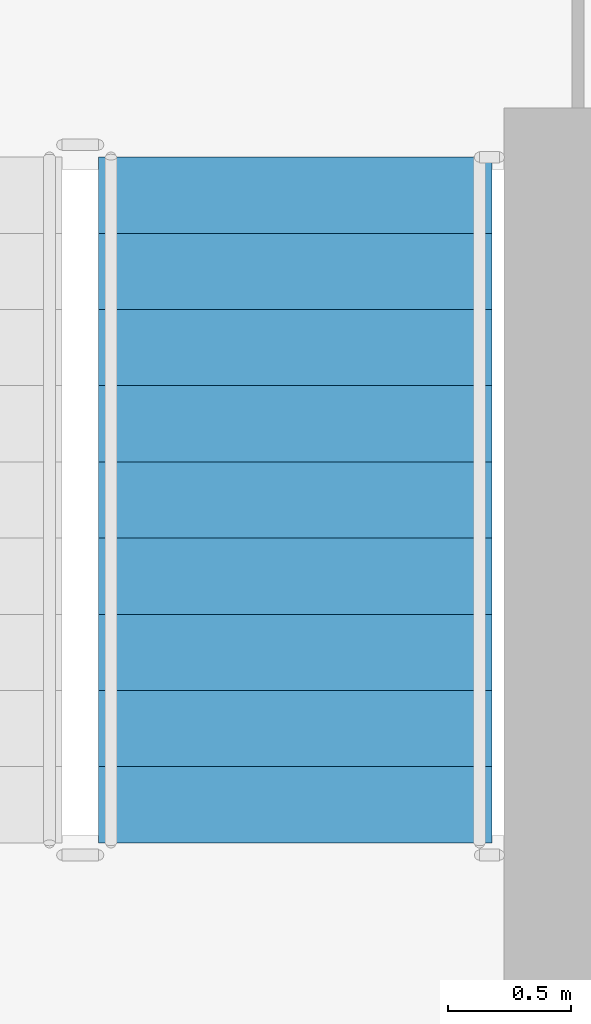
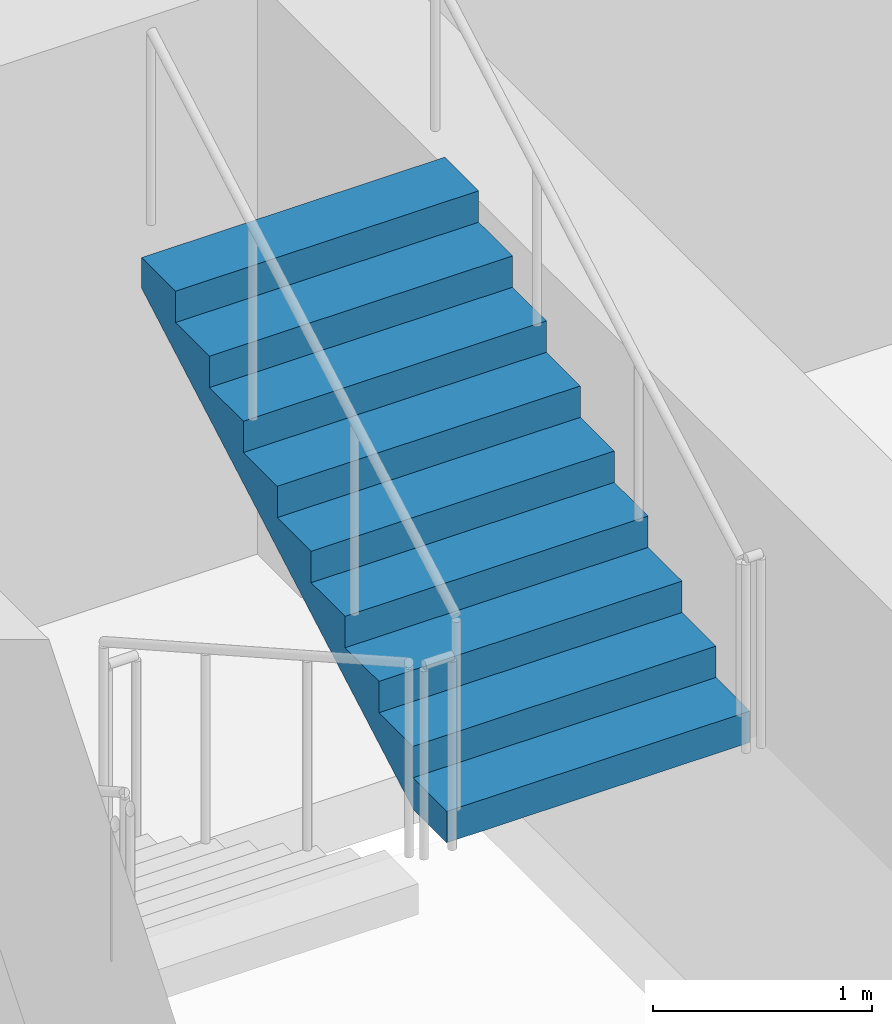
# One storey, part 16 of 23: 1 stair flight, 1 element without a shape of its own.
"""IFC4 building model written with IfcOpenShell, lengths in metres."""

from ifc_helpers import new_model, si_unit, direction, frame, origin, place, context, subcontext, project, spatial, polyline, outline, extrude, material, type_object, element, aggregate, save


model = new_model("IFC4")

# Units and contexts
model_context = context("Model", 3, precision=1e-05, world=origin(), true_north=direction((0.0, 1.0)))
body_context = subcontext(model_context, "Body", "Model", "MODEL_VIEW")
ifc_project = project(units=[si_unit("LENGTHUNIT", "METRE"), si_unit("AREAUNIT", "SQUARE_METRE"), si_unit("VOLUMEUNIT", "CUBIC_METRE"), si_unit("PLANEANGLEUNIT", "RADIAN"), si_unit("MASSUNIT", "GRAM", prefix="KILO")], contexts=[model_context])

# Site, building, storey
site_placement = place(None, origin())
site = spatial("IfcSite", under=ifc_project, at=site_placement, CompositionType="ELEMENT")
building_placement = place(site_placement, origin())
building = spatial("IfcBuilding", under=site, at=building_placement, Name="Madar Terraces", CompositionType="ELEMENT")
storey_placement = place(building_placement, frame((0.0, 0.0, 133.10009765625)))
storey = spatial("IfcBuildingStorey", under=building, at=storey_placement, Name="L34", CompositionType="ELEMENT", Elevation=133.10009765625)

# Stair, stair flight
ifc_material_1 = material(Name="Concrete C50/60", Category="concrete")
stair_type = type_object("IfcStairType", Name="Stair ST2 protected exit", PredefinedType="HALF_TURN_STAIR", material=ifc_material_1)
stair_placement = place(storey_placement, origin())
stair = element("IfcStair", 1, at=stair_placement, inside=storey, type_object=stair_type, Name="L34 Protected Exit Stair ST2", PredefinedType="HALF_TURN_STAIR")
ifc_material_2 = material(Name="Concrete C50/60", Category="concrete")
stair_flight_type = type_object("IfcStairFlightType", Name="Stair flight ST2-F4, 1600 wide, 10 risers", PredefinedType="STRAIGHT", material=ifc_material_2)
stair_flight_placement = place(storey_placement, frame((42.199951171875, 32.409912109375, 1.75), z_axis=(0.0, 0.0, 1.0), x_axis=(0.0, 1.0, 0.0)))
stair_flight = element("IfcStairFlight", 2, at=stair_flight_placement, type_object=stair_flight_type, Name="ST2 flight 2", NumberOfRisers=10, NumberOfTreads=9, PredefinedType="STRAIGHT", RiserHeight=0.175, TreadLength=0.31, context=body_context, shape_type="SweptSolid", body=[
    extrude(outline(polyline([(0.0, 0.0), (0.0, 0.175048828125), (0.31005859375, 0.175048828125), (0.31005859375, 0.35009765625), (0.6201171875, 0.35009765625), (0.6201171875, 0.52490234375), (0.929931640625, 0.52490234375), (0.929931640625, 0.699951171875), (1.239990234375, 0.699951171875), (1.239990234375, 0.875), (1.550048828125, 0.875), (1.550048828125, 1.050048828125), (1.860107421875, 1.050048828125), (1.860107421875, 1.22509765625), (2.169921875, 1.22509765625), (2.169921875, 1.39990234375), (2.47998046875, 1.39990234375), (2.47998046875, 1.574951171875), (2.7900390625, 1.574951171875), (2.7900390625, 1.75), (2.7900390625, 1.40283203125), (0.304931640625, 0.0), (0.0, 0.0)])), frame((0.0, 0.800048828125, 0.0), z_axis=(0.0, -1.0, 0.0), x_axis=(1.0, 0.0, 0.0)), (0.0, 0.0, 1.0), 1.60009765625),
])
aggregate(stair, [stair_flight])

save(model, "model.ifc")
